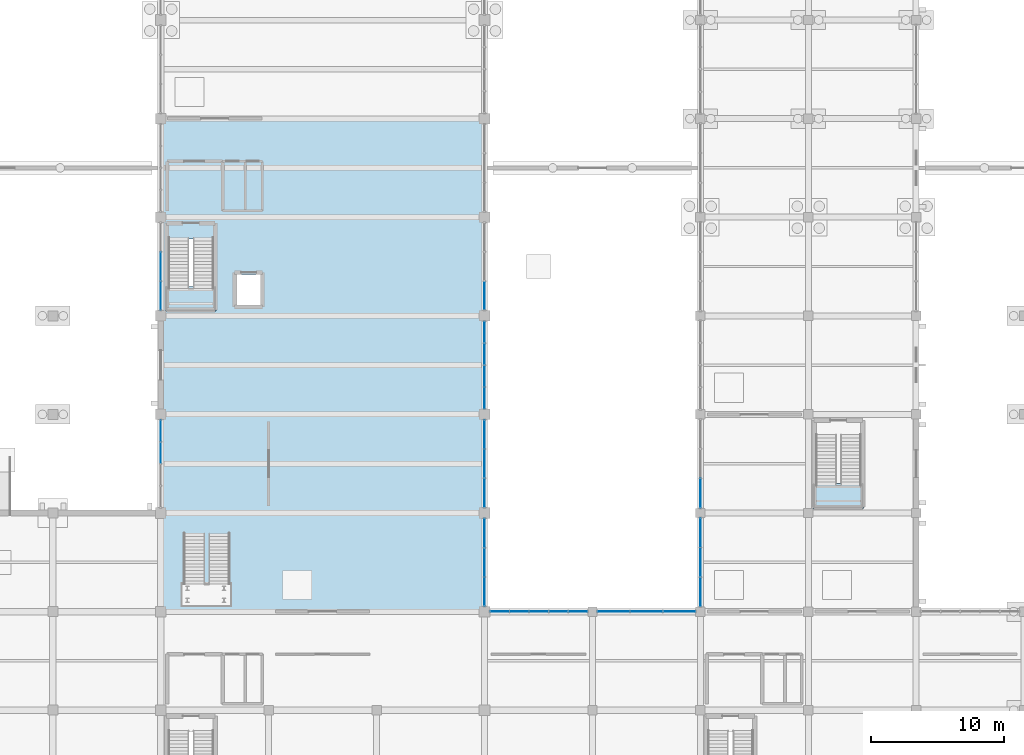
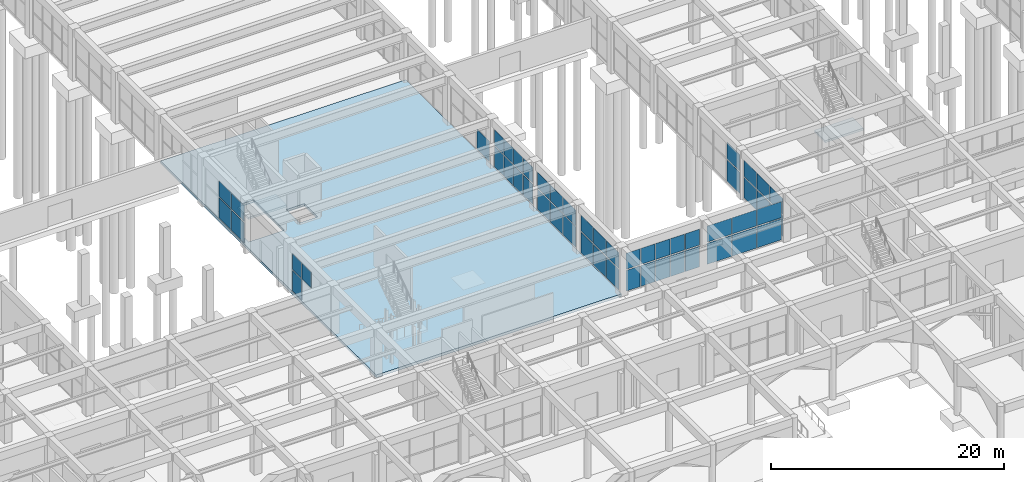
# One storey, part 113 of 140: 52 plates, 3 slabs, 12 elements without a shape of their own.
"""IFC4 building model written with IfcOpenShell, lengths in metres."""

from ifc_helpers import new_model, si_unit, direction, frame, origin, origin_2d, place, context, subcontext, project, spatial, polyline, rectangle, outline, extrude, material, layer, layer_set, type_object, element, aggregate, save


model = new_model("IFC4")

# Units and contexts
model_context = context("Model", 3, precision=1e-05, world=origin(), true_north=direction((0.0, 1.0)))
body_context = subcontext(model_context, "Body", "Model", "MODEL_VIEW")
ifc_project = project(units=[si_unit("LENGTHUNIT", "METRE"), si_unit("AREAUNIT", "SQUARE_METRE"), si_unit("VOLUMEUNIT", "CUBIC_METRE"), si_unit("PLANEANGLEUNIT", "RADIAN"), si_unit("MASSUNIT", "GRAM", prefix="KILO")], contexts=[model_context])

# Site, building, storey
site_placement = place(None, origin())
site = spatial("IfcSite", under=ifc_project, at=site_placement, CompositionType="ELEMENT")
building_placement = place(site_placement, origin())
building = spatial("IfcBuilding", under=site, at=building_placement, Name="Cimatlan Art Gallery", CompositionType="ELEMENT")
storey_placement = place(building_placement, origin())
storey = spatial("IfcBuildingStorey", under=building, at=storey_placement, Name="L00", CompositionType="ELEMENT", Elevation=0.0)

# Curtain wall, plates
ifc_material_1 = material(Name="Anodised bronze unitised curtain wall")
curtain_wall_type_1 = type_object("IfcCurtainWallType", Name="CW-V-07342X04210-B5", PredefinedType="NOTDEFINED", material=ifc_material_1)
curtain_wall_1_placement = place(storey_placement, origin())
curtain_wall_1 = element("IfcCurtainWall", 1, at=curtain_wall_1_placement, inside=storey, type_object=curtain_wall_type_1, Name="CW-L00-12-04-N", PredefinedType="NOTDEFINED")
ifc_material_2 = material(Name="Low-E insulated double glazing", Category="glass")
ifc_layer_1 = layer(ifc_material_2, 0.028076171875)
ifc_layer_set_1 = layer_set([ifc_layer_1], Name="Low-E insulated double glazing")
plate_type_1 = type_object("IfcPlateType", Name="PNL-1410X1668", PredefinedType="CURTAIN_PANEL", material=ifc_layer_set_1)
plate_1_placement = place(storey_placement, frame((100.338134765625, 38.699951171875, 2.419921875), z_axis=(0.0, 0.0, 1.0), x_axis=(1.0, 0.0, 0.0)))
plate_1 = element("IfcPlate", 2, at=plate_1_placement, type_object=plate_type_1, Name="CW-L00-12-04-N-P12", PredefinedType="CURTAIN_PANEL", context=body_context, shape_type="SweptSolid", body=[
    extrude(rectangle(XDim=1.409912109375, YDim=0.028076171875, at=origin_2d()), origin(), (0.0, 0.0, 1.0), 1.66796875),
])
plate_2_placement = place(storey_placement, frame((101.806640625, 38.699951171875, 2.419921875), z_axis=(0.0, 0.0, 1.0), x_axis=(1.0, 0.0, 0.0)))
plate_2 = element("IfcPlate", 3, at=plate_2_placement, type_object=plate_type_1, Name="CW-L00-12-04-N-P22", PredefinedType="CURTAIN_PANEL", context=body_context, shape_type="SweptSolid", body=[
    extrude(rectangle(XDim=1.409912109375, YDim=0.028076171875, at=origin_2d()), origin(), (0.0, 0.0, 1.0), 1.66796875),
])
plate_3_placement = place(storey_placement, frame((103.27490234375, 38.699951171875, 2.419921875), z_axis=(0.0, 0.0, 1.0), x_axis=(1.0, 0.0, 0.0)))
plate_3 = element("IfcPlate", 4, at=plate_3_placement, type_object=plate_type_1, Name="CW-L00-12-04-N-P32", PredefinedType="CURTAIN_PANEL", context=body_context, shape_type="SweptSolid", body=[
    extrude(rectangle(XDim=1.409912109375, YDim=0.028076171875, at=origin_2d()), origin(), (0.0, 0.0, 1.0), 1.66796875),
])
plate_4_placement = place(storey_placement, frame((104.743408203125, 38.699951171875, 2.419921875), z_axis=(0.0, 0.0, 1.0), x_axis=(1.0, 0.0, 0.0)))
plate_4 = element("IfcPlate", 5, at=plate_4_placement, type_object=plate_type_1, Name="CW-L00-12-04-N-P42", PredefinedType="CURTAIN_PANEL", context=body_context, shape_type="SweptSolid", body=[
    extrude(rectangle(XDim=1.409912109375, YDim=0.028076171875, at=origin_2d()), origin(), (0.0, 0.0, 1.0), 1.66796875),
])
plate_5_placement = place(storey_placement, frame((106.2119140625, 38.699951171875, 2.419921875), z_axis=(0.0, 0.0, 1.0), x_axis=(1.0, 0.0, 0.0)))
plate_5 = element("IfcPlate", 6, at=plate_5_placement, type_object=plate_type_1, Name="CW-L00-12-04-N-P52", PredefinedType="CURTAIN_PANEL", context=body_context, shape_type="SweptSolid", body=[
    extrude(rectangle(XDim=1.409912109375, YDim=0.028076171875, at=origin_2d()), origin(), (0.0, 0.0, 1.0), 1.66796875),
])
ifc_layer_2 = layer(ifc_material_2, 0.028076171875)
ifc_layer_set_2 = layer_set([ifc_layer_2], Name="Low-E insulated double glazing")
plate_type_2 = type_object("IfcPlateType", Name="PNL-1410X2174", PredefinedType="CURTAIN_PANEL", material=ifc_layer_set_2)
plate_6_placement = place(storey_placement, frame((100.338134765625, 38.699951171875, 0.12158203125), z_axis=(0.0, 0.0, 1.0), x_axis=(1.0, 0.0, 0.0)))
plate_6 = element("IfcPlate", 7, at=plate_6_placement, type_object=plate_type_2, Name="CW-L00-12-04-N-P11", PredefinedType="CURTAIN_PANEL", context=body_context, shape_type="SweptSolid", body=[
    extrude(rectangle(XDim=1.409912109375, YDim=0.028076171875, at=origin_2d()), origin(), (0.0, 0.0, 1.0), 2.174072265625),
])
plate_7_placement = place(storey_placement, frame((101.806640625, 38.699951171875, 0.12158203125), z_axis=(0.0, 0.0, 1.0), x_axis=(1.0, 0.0, 0.0)))
plate_7 = element("IfcPlate", 8, at=plate_7_placement, type_object=plate_type_2, Name="CW-L00-12-04-N-P21", PredefinedType="CURTAIN_PANEL", context=body_context, shape_type="SweptSolid", body=[
    extrude(rectangle(XDim=1.409912109375, YDim=0.028076171875, at=origin_2d()), origin(), (0.0, 0.0, 1.0), 2.174072265625),
])
plate_8_placement = place(storey_placement, frame((103.27490234375, 38.699951171875, 0.12158203125), z_axis=(0.0, 0.0, 1.0), x_axis=(1.0, 0.0, 0.0)))
plate_8 = element("IfcPlate", 9, at=plate_8_placement, type_object=plate_type_2, Name="CW-L00-12-04-N-P31", PredefinedType="CURTAIN_PANEL", context=body_context, shape_type="SweptSolid", body=[
    extrude(rectangle(XDim=1.409912109375, YDim=0.028076171875, at=origin_2d()), origin(), (0.0, 0.0, 1.0), 2.174072265625),
])
plate_9_placement = place(storey_placement, frame((104.743408203125, 38.699951171875, 0.12158203125), z_axis=(0.0, 0.0, 1.0), x_axis=(1.0, 0.0, 0.0)))
plate_9 = element("IfcPlate", 10, at=plate_9_placement, type_object=plate_type_2, Name="CW-L00-12-04-N-P41", PredefinedType="CURTAIN_PANEL", context=body_context, shape_type="SweptSolid", body=[
    extrude(rectangle(XDim=1.409912109375, YDim=0.028076171875, at=origin_2d()), origin(), (0.0, 0.0, 1.0), 2.174072265625),
])
plate_10_placement = place(storey_placement, frame((106.2119140625, 38.699951171875, 0.12158203125), z_axis=(0.0, 0.0, 1.0), x_axis=(1.0, 0.0, 0.0)))
plate_10 = element("IfcPlate", 11, at=plate_10_placement, type_object=plate_type_2, Name="CW-L00-12-04-N-P51", PredefinedType="CURTAIN_PANEL", context=body_context, shape_type="SweptSolid", body=[
    extrude(rectangle(XDim=1.409912109375, YDim=0.028076171875, at=origin_2d()), origin(), (0.0, 0.0, 1.0), 2.174072265625),
])
aggregate(curtain_wall_1, [plate_6, plate_1, plate_7, plate_2, plate_8, plate_3, plate_9, plate_4, plate_10, plate_5])

curtain_wall_type_2 = type_object("IfcCurtainWallType", Name="CW-V-06592X04133-B4", PredefinedType="NOTDEFINED", material=ifc_material_1)
curtain_wall_2_placement = place(storey_placement, origin())
curtain_wall_2 = element("IfcCurtainWall", 12, at=curtain_wall_2_placement, inside=storey, type_object=curtain_wall_type_2, Name="CW-L00-11-07-E", PredefinedType="NOTDEFINED")
ifc_layer_3 = layer(ifc_material_2, 0.028076171875)
ifc_layer_set_3 = layer_set([ifc_layer_3], Name="Low-E insulated double glazing")
plate_type_3 = type_object("IfcPlateType", Name="PNL-1590X1635", PredefinedType="CURTAIN_PANEL", material=ifc_layer_set_3)
plate_11_placement = place(storey_placement, frame((99.199951171875, 59.672119140625, 2.37646484375), z_axis=(0.0, 0.0, 1.0), x_axis=(0.0, -1.0, 0.0)))
plate_11 = element("IfcPlate", 13, at=plate_11_placement, type_object=plate_type_3, Name="CW-L00-11-07-E-P12", PredefinedType="CURTAIN_PANEL", context=body_context, shape_type="SweptSolid", body=[
    extrude(rectangle(XDim=1.590087890625, YDim=0.028076171875, at=origin_2d()), origin(), (0.0, 0.0, 1.0), 1.635009765625),
])
plate_12_placement = place(storey_placement, frame((99.199951171875, 58.02392578125, 2.37646484375), z_axis=(0.0, 0.0, 1.0), x_axis=(0.0, -1.0, 0.0)))
plate_12 = element("IfcPlate", 14, at=plate_12_placement, type_object=plate_type_3, Name="CW-L00-11-07-E-P22", PredefinedType="CURTAIN_PANEL", context=body_context, shape_type="SweptSolid", body=[
    extrude(rectangle(XDim=1.590087890625, YDim=0.028076171875, at=origin_2d()), origin(), (0.0, 0.0, 1.0), 1.635009765625),
])
plate_13_placement = place(storey_placement, frame((99.199951171875, 56.3759765625, 2.37646484375), z_axis=(0.0, 0.0, 1.0), x_axis=(0.0, -1.0, 0.0)))
plate_13 = element("IfcPlate", 15, at=plate_13_placement, type_object=plate_type_3, Name="CW-L00-11-07-E-P32", PredefinedType="CURTAIN_PANEL", context=body_context, shape_type="SweptSolid", body=[
    extrude(rectangle(XDim=1.590087890625, YDim=0.028076171875, at=origin_2d()), origin(), (0.0, 0.0, 1.0), 1.635009765625),
])
plate_14_placement = place(storey_placement, frame((99.199951171875, 54.72802734375, 2.37646484375), z_axis=(0.0, 0.0, 1.0), x_axis=(0.0, -1.0, 0.0)))
plate_14 = element("IfcPlate", 16, at=plate_14_placement, type_object=plate_type_3, Name="CW-L00-11-07-E-P42", PredefinedType="CURTAIN_PANEL", context=body_context, shape_type="SweptSolid", body=[
    extrude(rectangle(XDim=1.590087890625, YDim=0.028076171875, at=origin_2d()), origin(), (0.0, 0.0, 1.0), 1.635009765625),
])

curtain_wall_type_3 = type_object("IfcCurtainWallType", Name="CW-V-06592X04148-B4", PredefinedType="NOTDEFINED", material=ifc_material_1)
curtain_wall_3_placement = place(storey_placement, origin())
curtain_wall_3 = element("IfcCurtainWall", 17, at=curtain_wall_3_placement, inside=storey, type_object=curtain_wall_type_3, Name="CW-L00-09-06-W", PredefinedType="NOTDEFINED")
ifc_layer_4 = layer(ifc_material_2, 0.028076171875)
ifc_layer_set_4 = layer_set([ifc_layer_4], Name="Low-E insulated double glazing")
plate_type_4 = type_object("IfcPlateType", Name="PNL-1590X1641", PredefinedType="CURTAIN_PANEL", material=ifc_layer_set_4)
plate_15_placement = place(storey_placement, frame((74.89990234375, 50.6240234375, 2.385009765625), z_axis=(0.0, 0.0, 1.0), x_axis=(0.0, 1.0, 0.0)))
plate_15 = element("IfcPlate", 18, at=plate_15_placement, type_object=plate_type_4, Name="CW-L00-09-06-W-P32", PredefinedType="CURTAIN_PANEL", context=body_context, shape_type="SweptSolid", body=[
    extrude(rectangle(XDim=1.590087890625, YDim=0.028076171875, at=origin_2d()), origin(), (0.0, 0.0, 1.0), 1.64111328125),
])
plate_16_placement = place(storey_placement, frame((74.89990234375, 52.27197265625, 2.385009765625), z_axis=(0.0, 0.0, 1.0), x_axis=(0.0, 1.0, 0.0)))
plate_16 = element("IfcPlate", 19, at=plate_16_placement, type_object=plate_type_4, Name="CW-L00-09-06-W-P42", PredefinedType="CURTAIN_PANEL", context=body_context, shape_type="SweptSolid", body=[
    extrude(rectangle(XDim=1.590087890625, YDim=0.028076171875, at=origin_2d()), origin(), (0.0, 0.0, 1.0), 1.64111328125),
])

# Plate
ifc_layer_5 = layer(ifc_material_2, 0.028076171875)
ifc_layer_set_5 = layer_set([ifc_layer_5], Name="Low-E insulated double glazing")
plate_type_5 = type_object("IfcPlateType", Name="PNL-1590X2131", PredefinedType="CURTAIN_PANEL", material=ifc_layer_set_5)
plate_17_placement = place(storey_placement, frame((99.199951171875, 59.672119140625, 0.12158203125), z_axis=(0.0, 0.0, 1.0), x_axis=(0.0, -1.0, 0.0)))
plate_17 = element("IfcPlate", 20, at=plate_17_placement, type_object=plate_type_5, Name="CW-L00-11-07-E-P11", PredefinedType="CURTAIN_PANEL", context=body_context, shape_type="SweptSolid", body=[
    extrude(rectangle(XDim=1.590087890625, YDim=0.028076171875, at=origin_2d()), origin(), (0.0, 0.0, 1.0), 2.131103515625),
])

plate_18_placement = place(storey_placement, frame((99.199951171875, 58.02392578125, 0.12158203125), z_axis=(0.0, 0.0, 1.0), x_axis=(0.0, -1.0, 0.0)))
plate_18 = element("IfcPlate", 21, at=plate_18_placement, type_object=plate_type_5, Name="CW-L00-11-07-E-P21", PredefinedType="CURTAIN_PANEL", context=body_context, shape_type="SweptSolid", body=[
    extrude(rectangle(XDim=1.590087890625, YDim=0.028076171875, at=origin_2d()), origin(), (0.0, 0.0, 1.0), 2.131103515625),
])

plate_19_placement = place(storey_placement, frame((99.199951171875, 56.3759765625, 0.12158203125), z_axis=(0.0, 0.0, 1.0), x_axis=(0.0, -1.0, 0.0)))
plate_19 = element("IfcPlate", 22, at=plate_19_placement, type_object=plate_type_5, Name="CW-L00-11-07-E-P31", PredefinedType="CURTAIN_PANEL", context=body_context, shape_type="SweptSolid", body=[
    extrude(rectangle(XDim=1.590087890625, YDim=0.028076171875, at=origin_2d()), origin(), (0.0, 0.0, 1.0), 2.131103515625),
])

plate_20_placement = place(storey_placement, frame((99.199951171875, 54.72802734375, 0.12158203125), z_axis=(0.0, 0.0, 1.0), x_axis=(0.0, -1.0, 0.0)))
plate_20 = element("IfcPlate", 23, at=plate_20_placement, type_object=plate_type_5, Name="CW-L00-11-07-E-P41", PredefinedType="CURTAIN_PANEL", context=body_context, shape_type="SweptSolid", body=[
    extrude(rectangle(XDim=1.590087890625, YDim=0.028076171875, at=origin_2d()), origin(), (0.0, 0.0, 1.0), 2.131103515625),
])

aggregate(curtain_wall_2, [plate_17, plate_11, plate_18, plate_12, plate_19, plate_13, plate_20, plate_14])

ifc_layer_6 = layer(ifc_material_2, 0.028076171875)
ifc_layer_set_6 = layer_set([ifc_layer_6], Name="Low-E insulated double glazing")
plate_type_6 = type_object("IfcPlateType", Name="PNL-1590X2139", PredefinedType="CURTAIN_PANEL", material=ifc_layer_set_6)
plate_21_placement = place(storey_placement, frame((74.89990234375, 52.27197265625, 0.1220703125), z_axis=(0.0, 0.0, 1.0), x_axis=(0.0, 1.0, 0.0)))
plate_21 = element("IfcPlate", 24, at=plate_21_placement, type_object=plate_type_6, Name="CW-L00-09-06-W-P41", PredefinedType="CURTAIN_PANEL", context=body_context, shape_type="SweptSolid", body=[
    extrude(rectangle(XDim=1.590087890625, YDim=0.028076171875, at=origin_2d()), origin(), (0.0, 0.0, 1.0), 2.138916015625),
])

aggregate(curtain_wall_3, [plate_15, plate_21, plate_16])

# Curtain wall, plates
curtain_wall_type_4 = type_object("IfcCurtainWallType", Name="CW-V-06592X04118-B3", PredefinedType="NOTDEFINED", material=ifc_material_1)
curtain_wall_4_placement = place(storey_placement, origin())
curtain_wall_4 = element("IfcCurtainWall", 25, at=curtain_wall_4_placement, inside=storey, type_object=curtain_wall_type_4, Name="CW-L00-09-08-W", PredefinedType="NOTDEFINED")
ifc_layer_7 = layer(ifc_material_2, 0.028076171875)
ifc_layer_set_7 = layer_set([ifc_layer_7], Name="Low-E insulated double glazing")
plate_type_7 = type_object("IfcPlateType", Name="PNL-2139X1628", PredefinedType="CURTAIN_PANEL", material=ifc_layer_set_7)
plate_22_placement = place(storey_placement, frame((74.89990234375, 62.402587890625, 2.3681640625), z_axis=(0.0, 0.0, 1.0), x_axis=(0.0, 1.0, 0.0)))
plate_22 = element("IfcPlate", 26, at=plate_22_placement, type_object=plate_type_7, Name="CW-L00-09-08-W-P12", PredefinedType="CURTAIN_PANEL", context=body_context, shape_type="SweptSolid", body=[
    extrude(rectangle(XDim=2.138916015625, YDim=0.028076171875, at=origin_2d()), origin(), (0.0, 0.0, 1.0), 1.6279296875),
])
plate_23_placement = place(storey_placement, frame((74.89990234375, 64.60009765625, 2.3681640625), z_axis=(0.0, 0.0, 1.0), x_axis=(0.0, 1.0, 0.0)))
plate_23 = element("IfcPlate", 27, at=plate_23_placement, type_object=plate_type_7, Name="CW-L00-09-08-W-P22", PredefinedType="CURTAIN_PANEL", context=body_context, shape_type="SweptSolid", body=[
    extrude(rectangle(XDim=2.138916015625, YDim=0.028076171875, at=origin_2d()), origin(), (0.0, 0.0, 1.0), 1.6279296875),
])

curtain_wall_type_5 = type_object("IfcCurtainWallType", Name="CW-V-06592X04148-B3", PredefinedType="NOTDEFINED", material=ifc_material_1)
curtain_wall_5_placement = place(storey_placement, origin())
curtain_wall_5 = element("IfcCurtainWall", 28, at=curtain_wall_5_placement, inside=storey, type_object=curtain_wall_type_5, Name="CW-L00-11-06-E", PredefinedType="NOTDEFINED")
ifc_layer_8 = layer(ifc_material_2, 0.028076171875)
ifc_layer_set_8 = layer_set([ifc_layer_8], Name="Low-E insulated double glazing")
plate_type_8 = type_object("IfcPlateType", Name="PNL-2139X1641", PredefinedType="CURTAIN_PANEL", material=ifc_layer_set_8)
plate_24_placement = place(storey_placement, frame((99.199951171875, 51.997314453125, 2.385009765625), z_axis=(0.0, 0.0, 1.0), x_axis=(0.0, -1.0, 0.0)))
plate_24 = element("IfcPlate", 29, at=plate_24_placement, type_object=plate_type_8, Name="CW-L00-11-06-E-P12", PredefinedType="CURTAIN_PANEL", context=body_context, shape_type="SweptSolid", body=[
    extrude(rectangle(XDim=2.138916015625, YDim=0.028076171875, at=origin_2d()), origin(), (0.0, 0.0, 1.0), 1.64111328125),
])
plate_25_placement = place(storey_placement, frame((99.199951171875, 49.800048828125, 2.385009765625), z_axis=(0.0, 0.0, 1.0), x_axis=(0.0, -1.0, 0.0)))
plate_25 = element("IfcPlate", 30, at=plate_25_placement, type_object=plate_type_8, Name="CW-L00-11-06-E-P22", PredefinedType="CURTAIN_PANEL", context=body_context, shape_type="SweptSolid", body=[
    extrude(rectangle(XDim=2.138916015625, YDim=0.028076171875, at=origin_2d()), origin(), (0.0, 0.0, 1.0), 1.64111328125),
])
plate_26_placement = place(storey_placement, frame((99.199951171875, 47.602783203125, 2.385009765625), z_axis=(0.0, 0.0, 1.0), x_axis=(0.0, -1.0, 0.0)))
plate_26 = element("IfcPlate", 31, at=plate_26_placement, type_object=plate_type_8, Name="CW-L00-11-06-E-P32", PredefinedType="CURTAIN_PANEL", context=body_context, shape_type="SweptSolid", body=[
    extrude(rectangle(XDim=2.138916015625, YDim=0.028076171875, at=origin_2d()), origin(), (0.0, 0.0, 1.0), 1.64111328125),
])

curtain_wall_type_6 = type_object("IfcCurtainWallType", Name="CW-V-06592X04163-B3", PredefinedType="NOTDEFINED", material=ifc_material_1)
curtain_wall_6_placement = place(storey_placement, origin())
curtain_wall_6 = element("IfcCurtainWall", 32, at=curtain_wall_6_placement, inside=storey, type_object=curtain_wall_type_6, Name="CW-L00-11-05-E", PredefinedType="NOTDEFINED")
ifc_layer_9 = layer(ifc_material_2, 0.028076171875)
ifc_layer_set_9 = layer_set([ifc_layer_9], Name="Low-E insulated double glazing")
plate_type_9 = type_object("IfcPlateType", Name="PNL-2139X1648", PredefinedType="CURTAIN_PANEL", material=ifc_layer_set_9)
plate_27_placement = place(storey_placement, frame((99.199951171875, 44.597412109375, 2.39306640625), z_axis=(0.0, 0.0, 1.0), x_axis=(0.0, -1.0, 0.0)))
plate_27 = element("IfcPlate", 33, at=plate_27_placement, type_object=plate_type_9, Name="CW-L00-11-05-E-P12", PredefinedType="CURTAIN_PANEL", context=body_context, shape_type="SweptSolid", body=[
    extrude(rectangle(XDim=2.138916015625, YDim=0.028076171875, at=origin_2d()), origin(), (0.0, 0.0, 1.0), 1.64794921875),
])
plate_28_placement = place(storey_placement, frame((99.199951171875, 42.39990234375, 2.39306640625), z_axis=(0.0, 0.0, 1.0), x_axis=(0.0, -1.0, 0.0)))
plate_28 = element("IfcPlate", 34, at=plate_28_placement, type_object=plate_type_9, Name="CW-L00-11-05-E-P22", PredefinedType="CURTAIN_PANEL", context=body_context, shape_type="SweptSolid", body=[
    extrude(rectangle(XDim=2.138916015625, YDim=0.028076171875, at=origin_2d()), origin(), (0.0, 0.0, 1.0), 1.64794921875),
])
plate_29_placement = place(storey_placement, frame((99.199951171875, 40.20263671875, 2.39306640625), z_axis=(0.0, 0.0, 1.0), x_axis=(0.0, -1.0, 0.0)))
plate_29 = element("IfcPlate", 35, at=plate_29_placement, type_object=plate_type_9, Name="CW-L00-11-05-E-P32", PredefinedType="CURTAIN_PANEL", context=body_context, shape_type="SweptSolid", body=[
    extrude(rectangle(XDim=2.138916015625, YDim=0.028076171875, at=origin_2d()), origin(), (0.0, 0.0, 1.0), 1.64794921875),
])

# Plate
ifc_layer_10 = layer(ifc_material_2, 0.028076171875)
ifc_layer_set_10 = layer_set([ifc_layer_10], Name="Low-E insulated double glazing")
plate_type_10 = type_object("IfcPlateType", Name="PNL-2139X2122", PredefinedType="CURTAIN_PANEL", material=ifc_layer_set_10)
plate_30_placement = place(storey_placement, frame((74.89990234375, 62.402587890625, 0.1220703125), z_axis=(0.0, 0.0, 1.0), x_axis=(0.0, 1.0, 0.0)))
plate_30 = element("IfcPlate", 36, at=plate_30_placement, type_object=plate_type_10, Name="CW-L00-09-08-W-P11", PredefinedType="CURTAIN_PANEL", context=body_context, shape_type="SweptSolid", body=[
    extrude(rectangle(XDim=2.138916015625, YDim=0.028076171875, at=origin_2d()), origin(), (0.0, 0.0, 1.0), 2.1220703125),
])

plate_31_placement = place(storey_placement, frame((74.89990234375, 64.60009765625, 0.1220703125), z_axis=(0.0, 0.0, 1.0), x_axis=(0.0, 1.0, 0.0)))
plate_31 = element("IfcPlate", 37, at=plate_31_placement, type_object=plate_type_10, Name="CW-L00-09-08-W-P21", PredefinedType="CURTAIN_PANEL", context=body_context, shape_type="SweptSolid", body=[
    extrude(rectangle(XDim=2.138916015625, YDim=0.028076171875, at=origin_2d()), origin(), (0.0, 0.0, 1.0), 2.1220703125),
])

aggregate(curtain_wall_4, [plate_30, plate_22, plate_31, plate_23])

# Curtain wall, plate
curtain_wall_7_placement = place(storey_placement, origin())
curtain_wall_7 = element("IfcCurtainWall", 38, at=curtain_wall_7_placement, inside=storey, type_object=curtain_wall_type_4, Name="CW-L00-11-08-E", PredefinedType="NOTDEFINED")
plate_32_placement = place(storey_placement, frame((99.199951171875, 62.402587890625, 0.1220703125), z_axis=(0.0, 0.0, 1.0), x_axis=(0.0, -1.0, 0.0)))
plate_32 = element("IfcPlate", 39, at=plate_32_placement, type_object=plate_type_10, Name="CW-L00-11-08-E-P31", PredefinedType="CURTAIN_PANEL", context=body_context, shape_type="SweptSolid", body=[
    extrude(rectangle(XDim=2.138916015625, YDim=0.028076171875, at=origin_2d()), origin(), (0.0, 0.0, 1.0), 2.1220703125),
])
aggregate(curtain_wall_7, [plate_32])

# Plate
ifc_layer_11 = layer(ifc_material_2, 0.028076171875)
ifc_layer_set_11 = layer_set([ifc_layer_11], Name="Low-E insulated double glazing")
plate_type_11 = type_object("IfcPlateType", Name="PNL-2139X2139", PredefinedType="CURTAIN_PANEL", material=ifc_layer_set_11)
plate_33_placement = place(storey_placement, frame((99.199951171875, 51.997314453125, 0.1220703125), z_axis=(0.0, 0.0, 1.0), x_axis=(0.0, -1.0, 0.0)))
plate_33 = element("IfcPlate", 40, at=plate_33_placement, type_object=plate_type_11, Name="CW-L00-11-06-E-P11", PredefinedType="CURTAIN_PANEL", context=body_context, shape_type="SweptSolid", body=[
    extrude(rectangle(XDim=2.138916015625, YDim=0.028076171875, at=origin_2d()), origin(), (0.0, 0.0, 1.0), 2.138916015625),
])

plate_34_placement = place(storey_placement, frame((99.199951171875, 49.800048828125, 0.1220703125), z_axis=(0.0, 0.0, 1.0), x_axis=(0.0, -1.0, 0.0)))
plate_34 = element("IfcPlate", 41, at=plate_34_placement, type_object=plate_type_11, Name="CW-L00-11-06-E-P21", PredefinedType="CURTAIN_PANEL", context=body_context, shape_type="SweptSolid", body=[
    extrude(rectangle(XDim=2.138916015625, YDim=0.028076171875, at=origin_2d()), origin(), (0.0, 0.0, 1.0), 2.138916015625),
])

plate_35_placement = place(storey_placement, frame((99.199951171875, 47.602783203125, 0.1220703125), z_axis=(0.0, 0.0, 1.0), x_axis=(0.0, -1.0, 0.0)))
plate_35 = element("IfcPlate", 42, at=plate_35_placement, type_object=plate_type_11, Name="CW-L00-11-06-E-P31", PredefinedType="CURTAIN_PANEL", context=body_context, shape_type="SweptSolid", body=[
    extrude(rectangle(XDim=2.138916015625, YDim=0.028076171875, at=origin_2d()), origin(), (0.0, 0.0, 1.0), 2.138916015625),
])

aggregate(curtain_wall_5, [plate_33, plate_24, plate_34, plate_25, plate_35, plate_26])

ifc_layer_12 = layer(ifc_material_2, 0.028076171875)
ifc_layer_set_12 = layer_set([ifc_layer_12], Name="Low-E insulated double glazing")
plate_type_12 = type_object("IfcPlateType", Name="PNL-2139X2147", PredefinedType="CURTAIN_PANEL", material=ifc_layer_set_12)
plate_36_placement = place(storey_placement, frame((99.199951171875, 44.597412109375, 0.1220703125), z_axis=(0.0, 0.0, 1.0), x_axis=(0.0, -1.0, 0.0)))
plate_36 = element("IfcPlate", 43, at=plate_36_placement, type_object=plate_type_12, Name="CW-L00-11-05-E-P11", PredefinedType="CURTAIN_PANEL", context=body_context, shape_type="SweptSolid", body=[
    extrude(rectangle(XDim=2.138916015625, YDim=0.028076171875, at=origin_2d()), origin(), (0.0, 0.0, 1.0), 2.14697265625),
])

plate_37_placement = place(storey_placement, frame((99.199951171875, 42.39990234375, 0.1220703125), z_axis=(0.0, 0.0, 1.0), x_axis=(0.0, -1.0, 0.0)))
plate_37 = element("IfcPlate", 44, at=plate_37_placement, type_object=plate_type_12, Name="CW-L00-11-05-E-P21", PredefinedType="CURTAIN_PANEL", context=body_context, shape_type="SweptSolid", body=[
    extrude(rectangle(XDim=2.138916015625, YDim=0.028076171875, at=origin_2d()), origin(), (0.0, 0.0, 1.0), 2.14697265625),
])

plate_38_placement = place(storey_placement, frame((99.199951171875, 40.20263671875, 0.1220703125), z_axis=(0.0, 0.0, 1.0), x_axis=(0.0, -1.0, 0.0)))
plate_38 = element("IfcPlate", 45, at=plate_38_placement, type_object=plate_type_12, Name="CW-L00-11-05-E-P31", PredefinedType="CURTAIN_PANEL", context=body_context, shape_type="SweptSolid", body=[
    extrude(rectangle(XDim=2.138916015625, YDim=0.028076171875, at=origin_2d()), origin(), (0.0, 0.0, 1.0), 2.14697265625),
])

aggregate(curtain_wall_6, [plate_36, plate_27, plate_37, plate_28, plate_38, plate_29])

# Curtain wall, plates
curtain_wall_type_7 = type_object("IfcCurtainWallType", Name="CW-V-06692X04195-B3", PredefinedType="NOTDEFINED", material=ifc_material_1)
curtain_wall_8_placement = place(storey_placement, origin())
curtain_wall_8 = element("IfcCurtainWall", 46, at=curtain_wall_8_placement, inside=storey, type_object=curtain_wall_type_7, Name="CW-L00-14-05-W", PredefinedType="NOTDEFINED")
ifc_layer_13 = layer(ifc_material_2, 0.028076171875)
ifc_layer_set_13 = layer_set([ifc_layer_13], Name="Low-E insulated double glazing")
plate_type_13 = type_object("IfcPlateType", Name="PNL-2173X1662", PredefinedType="CURTAIN_PANEL", material=ifc_layer_set_13)
plate_39_placement = place(storey_placement, frame((115.39990234375, 40.16943359375, 2.4111328125), z_axis=(0.0, 0.0, 1.0), x_axis=(0.0, 1.0, 0.0)))
plate_39 = element("IfcPlate", 47, at=plate_39_placement, type_object=plate_type_13, Name="CW-L00-14-05-W-P12", PredefinedType="CURTAIN_PANEL", context=body_context, shape_type="SweptSolid", body=[
    extrude(rectangle(XDim=2.173095703125, YDim=0.028076171875, at=origin_2d()), origin(), (0.0, 0.0, 1.0), 1.662109375),
])
plate_40_placement = place(storey_placement, frame((115.39990234375, 42.39990234375, 2.4111328125), z_axis=(0.0, 0.0, 1.0), x_axis=(0.0, 1.0, 0.0)))
plate_40 = element("IfcPlate", 48, at=plate_40_placement, type_object=plate_type_13, Name="CW-L00-14-05-W-P22", PredefinedType="CURTAIN_PANEL", context=body_context, shape_type="SweptSolid", body=[
    extrude(rectangle(XDim=2.173095703125, YDim=0.028076171875, at=origin_2d()), origin(), (0.0, 0.0, 1.0), 1.662109375),
])
plate_41_placement = place(storey_placement, frame((115.39990234375, 44.630615234375, 2.4111328125), z_axis=(0.0, 0.0, 1.0), x_axis=(0.0, 1.0, 0.0)))
plate_41 = element("IfcPlate", 49, at=plate_41_placement, type_object=plate_type_13, Name="CW-L00-14-05-W-P32", PredefinedType="CURTAIN_PANEL", context=body_context, shape_type="SweptSolid", body=[
    extrude(rectangle(XDim=2.173095703125, YDim=0.028076171875, at=origin_2d()), origin(), (0.0, 0.0, 1.0), 1.662109375),
])

# Curtain wall, plate
curtain_wall_type_8 = type_object("IfcCurtainWallType", Name="CW-V-06692X04320-B3", PredefinedType="NOTDEFINED", material=ifc_material_1)
curtain_wall_9_placement = place(storey_placement, origin())
curtain_wall_9 = element("IfcCurtainWall", 50, at=curtain_wall_9_placement, inside=storey, type_object=curtain_wall_type_8, Name="CW-L00-14-06-W", PredefinedType="NOTDEFINED")
ifc_layer_14 = layer(ifc_material_2, 0.028076171875)
ifc_layer_set_14 = layer_set([ifc_layer_14], Name="Low-E insulated double glazing")
plate_type_14 = type_object("IfcPlateType", Name="PNL-2173X1717", PredefinedType="CURTAIN_PANEL", material=ifc_layer_set_14)
plate_42_placement = place(storey_placement, frame((115.39990234375, 47.5693359375, 2.48095703125), z_axis=(0.0, 0.0, 1.0), x_axis=(0.0, 1.0, 0.0)))
plate_42 = element("IfcPlate", 51, at=plate_42_placement, type_object=plate_type_14, Name="CW-L00-14-06-W-P12", PredefinedType="CURTAIN_PANEL", context=body_context, shape_type="SweptSolid", body=[
    extrude(rectangle(XDim=2.173095703125, YDim=0.028076171875, at=origin_2d()), origin(), (0.0, 0.0, 1.0), 1.717041015625),
])

# Plate
ifc_layer_15 = layer(ifc_material_2, 0.028076171875)
ifc_layer_set_15 = layer_set([ifc_layer_15], Name="Low-E insulated double glazing")
plate_type_15 = type_object("IfcPlateType", Name="PNL-2173X2165", PredefinedType="CURTAIN_PANEL", material=ifc_layer_set_15)
plate_43_placement = place(storey_placement, frame((115.39990234375, 40.16943359375, 0.1220703125), z_axis=(0.0, 0.0, 1.0), x_axis=(0.0, 1.0, 0.0)))
plate_43 = element("IfcPlate", 52, at=plate_43_placement, type_object=plate_type_15, Name="CW-L00-14-05-W-P11", PredefinedType="CURTAIN_PANEL", context=body_context, shape_type="SweptSolid", body=[
    extrude(rectangle(XDim=2.173095703125, YDim=0.028076171875, at=origin_2d()), origin(), (0.0, 0.0, 1.0), 2.1650390625),
])

plate_44_placement = place(storey_placement, frame((115.39990234375, 42.39990234375, 0.1220703125), z_axis=(0.0, 0.0, 1.0), x_axis=(0.0, 1.0, 0.0)))
plate_44 = element("IfcPlate", 53, at=plate_44_placement, type_object=plate_type_15, Name="CW-L00-14-05-W-P21", PredefinedType="CURTAIN_PANEL", context=body_context, shape_type="SweptSolid", body=[
    extrude(rectangle(XDim=2.173095703125, YDim=0.028076171875, at=origin_2d()), origin(), (0.0, 0.0, 1.0), 2.1650390625),
])

plate_45_placement = place(storey_placement, frame((115.39990234375, 44.630615234375, 0.1220703125), z_axis=(0.0, 0.0, 1.0), x_axis=(0.0, 1.0, 0.0)))
plate_45 = element("IfcPlate", 54, at=plate_45_placement, type_object=plate_type_15, Name="CW-L00-14-05-W-P31", PredefinedType="CURTAIN_PANEL", context=body_context, shape_type="SweptSolid", body=[
    extrude(rectangle(XDim=2.173095703125, YDim=0.028076171875, at=origin_2d()), origin(), (0.0, 0.0, 1.0), 2.1650390625),
])

aggregate(curtain_wall_8, [plate_43, plate_39, plate_44, plate_40, plate_45, plate_41])

ifc_layer_16 = layer(ifc_material_2, 0.028076171875)
ifc_layer_set_16 = layer_set([ifc_layer_16], Name="Low-E insulated double glazing")
plate_type_16 = type_object("IfcPlateType", Name="PNL-2173X2235", PredefinedType="CURTAIN_PANEL", material=ifc_layer_set_16)
plate_46_placement = place(storey_placement, frame((115.39990234375, 47.5693359375, 0.1220703125), z_axis=(0.0, 0.0, 1.0), x_axis=(0.0, 1.0, 0.0)))
plate_46 = element("IfcPlate", 55, at=plate_46_placement, type_object=plate_type_16, Name="CW-L00-14-06-W-P11", PredefinedType="CURTAIN_PANEL", context=body_context, shape_type="SweptSolid", body=[
    extrude(rectangle(XDim=2.173095703125, YDim=0.028076171875, at=origin_2d()), origin(), (0.0, 0.0, 1.0), 2.235107421875),
])

aggregate(curtain_wall_9, [plate_46, plate_42])

# Curtain wall, plates
curtain_wall_type_9 = type_object("IfcCurtainWallType", Name="CW-V-07392X04255-B3", PredefinedType="NOTDEFINED", material=ifc_material_1)
curtain_wall_10_placement = place(storey_placement, origin())
curtain_wall_10 = element("IfcCurtainWall", 56, at=curtain_wall_10_placement, inside=storey, type_object=curtain_wall_type_9, Name="CW-L00-13-04-N", PredefinedType="NOTDEFINED")
ifc_layer_17 = layer(ifc_material_2, 0.028076171875)
ifc_layer_set_17 = layer_set([ifc_layer_17], Name="Low-E insulated double glazing")
plate_type_17 = type_object("IfcPlateType", Name="PNL-2406X1688", PredefinedType="CURTAIN_PANEL", material=ifc_layer_set_17)
plate_47_placement = place(storey_placement, frame((108.885986328125, 38.699951171875, 2.44482421875), z_axis=(0.0, 0.0, 1.0), x_axis=(1.0, 0.0, 0.0)))
plate_47 = element("IfcPlate", 57, at=plate_47_placement, type_object=plate_type_17, Name="CW-L00-13-04-N-P12", PredefinedType="CURTAIN_PANEL", context=body_context, shape_type="SweptSolid", body=[
    extrude(rectangle(XDim=2.406005859375, YDim=0.028076171875, at=origin_2d()), origin(), (0.0, 0.0, 1.0), 1.68798828125),
])
plate_48_placement = place(storey_placement, frame((111.35009765625, 38.699951171875, 2.44482421875), z_axis=(0.0, 0.0, 1.0), x_axis=(1.0, 0.0, 0.0)))
plate_48 = element("IfcPlate", 58, at=plate_48_placement, type_object=plate_type_17, Name="CW-L00-13-04-N-P22", PredefinedType="CURTAIN_PANEL", context=body_context, shape_type="SweptSolid", body=[
    extrude(rectangle(XDim=2.406005859375, YDim=0.028076171875, at=origin_2d()), origin(), (0.0, 0.0, 1.0), 1.68798828125),
])
plate_49_placement = place(storey_placement, frame((113.81396484375, 38.699951171875, 2.44482421875), z_axis=(0.0, 0.0, 1.0), x_axis=(1.0, 0.0, 0.0)))
plate_49 = element("IfcPlate", 59, at=plate_49_placement, type_object=plate_type_17, Name="CW-L00-13-04-N-P32", PredefinedType="CURTAIN_PANEL", context=body_context, shape_type="SweptSolid", body=[
    extrude(rectangle(XDim=2.406005859375, YDim=0.028076171875, at=origin_2d()), origin(), (0.0, 0.0, 1.0), 1.68798828125),
])
ifc_layer_18 = layer(ifc_material_2, 0.028076171875)
ifc_layer_set_18 = layer_set([ifc_layer_18], Name="Low-E insulated double glazing")
plate_type_18 = type_object("IfcPlateType", Name="PNL-2406X2199", PredefinedType="CURTAIN_PANEL", material=ifc_layer_set_18)
plate_50_placement = place(storey_placement, frame((108.885986328125, 38.699951171875, 0.1220703125), z_axis=(0.0, 0.0, 1.0), x_axis=(1.0, 0.0, 0.0)))
plate_50 = element("IfcPlate", 60, at=plate_50_placement, type_object=plate_type_18, Name="CW-L00-13-04-N-P11", PredefinedType="CURTAIN_PANEL", context=body_context, shape_type="SweptSolid", body=[
    extrude(rectangle(XDim=2.406005859375, YDim=0.028076171875, at=origin_2d()), origin(), (0.0, 0.0, 1.0), 2.198974609375),
])
plate_51_placement = place(storey_placement, frame((111.35009765625, 38.699951171875, 0.1220703125), z_axis=(0.0, 0.0, 1.0), x_axis=(1.0, 0.0, 0.0)))
plate_51 = element("IfcPlate", 61, at=plate_51_placement, type_object=plate_type_18, Name="CW-L00-13-04-N-P21", PredefinedType="CURTAIN_PANEL", context=body_context, shape_type="SweptSolid", body=[
    extrude(rectangle(XDim=2.406005859375, YDim=0.028076171875, at=origin_2d()), origin(), (0.0, 0.0, 1.0), 2.198974609375),
])
plate_52_placement = place(storey_placement, frame((113.81396484375, 38.699951171875, 0.1220703125), z_axis=(0.0, 0.0, 1.0), x_axis=(1.0, 0.0, 0.0)))
plate_52 = element("IfcPlate", 62, at=plate_52_placement, type_object=plate_type_18, Name="CW-L00-13-04-N-P31", PredefinedType="CURTAIN_PANEL", context=body_context, shape_type="SweptSolid", body=[
    extrude(rectangle(XDim=2.406005859375, YDim=0.028076171875, at=origin_2d()), origin(), (0.0, 0.0, 1.0), 2.198974609375),
])
aggregate(curtain_wall_10, [plate_50, plate_47, plate_51, plate_48, plate_52, plate_49])

# Slab
ifc_material_3 = material(Name="Concrete C35/45", Category="concrete")
ifc_layer_19 = layer(ifc_material_3, 0.280029296875)
ifc_layer_set_19 = layer_set([ifc_layer_19], Name="Concrete C35/45")
slab_type_1 = type_object("IfcSlabType", Name="SLB-FLR-L00", PredefinedType="FLOOR", material=ifc_layer_set_19)
slab_1_placement = place(storey_placement, frame((0.0, 0.0, -0.280029296875)))
element("IfcSlab", 63, at=slab_1_placement, inside=storey, type_object=slab_type_1, Name="SLB-L00-B3S", PredefinedType="FLOOR", context=body_context, shape_type="SweptSolid", body=[
    extrude(outline(polyline([(74.89990234375, 38.699951171875), (99.199951171875, 38.699951171875), (99.199951171875, 75.699951171875), (74.89990234375, 75.699951171875), (74.89990234375, 38.699951171875)]), holes=[polyline([(75.39990234375, 61.419921875), (78.919921875, 61.419921875), (78.919921875, 66.64990234375), (75.39990234375, 66.64990234375), (75.39990234375, 61.419921875)]), polyline([(80.610107421875, 61.7099609375), (82.389892578125, 61.7099609375), (82.389892578125, 63.989990234375), (80.610107421875, 63.989990234375), (80.610107421875, 61.7099609375)])]), origin(), (0.0, 0.0, 1.0), 0.280029296875),
])

# Stair, slab
stair_type = type_object("IfcStairType", Name="STR-HALF-155-540", PredefinedType="HALF_TURN_STAIR", material=ifc_material_3)
stair_1_placement = place(storey_placement, origin())
stair_1 = element("IfcStair", 64, at=stair_1_placement, inside=storey, type_object=stair_type, Name="STR-C6-L00", PredefinedType="HALF_TURN_STAIR")
ifc_layer_20 = layer(ifc_material_3, 0.219970703125)
ifc_layer_set_20 = layer_set([ifc_layer_20], Name="Concrete C35/45")
slab_type_2 = type_object("IfcSlabType", Name="SLB-STAIR-LAND-220", PredefinedType="LANDING", material=ifc_layer_set_20)
slab_2_placement = place(storey_placement, frame((0.0, 0.0, 2.47998046875)))
slab_2 = element("IfcSlab", 65, at=slab_2_placement, type_object=slab_type_2, Name="STR-C6-L00-LND", PredefinedType="LANDING", context=body_context, shape_type="SweptSolid", body=[
    extrude(outline(polyline([(75.25, 61.25), (79.0400390625, 61.25), (79.0400390625, 63.10498046875), (75.25, 63.10498046875), (75.25, 61.25)])), origin(), (0.0, 0.0, 1.0), 0.219970703125),
])
aggregate(stair_1, [slab_2])

stair_2_placement = place(storey_placement, origin())
stair_2 = element("IfcStair", 66, at=stair_2_placement, inside=storey, type_object=stair_type, Name="STR-C9-L00", PredefinedType="HALF_TURN_STAIR")
slab_3_placement = place(storey_placement, frame((0.0, 0.0, 2.47998046875)))
slab_3 = element("IfcSlab", 67, at=slab_3_placement, type_object=slab_type_2, Name="STR-C9-L00-LND", PredefinedType="LANDING", context=body_context, shape_type="SweptSolid", body=[
    extrude(outline(polyline([(123.85009765625, 46.449951171875), (127.639892578125, 46.449951171875), (127.639892578125, 48.304931640625), (123.85009765625, 48.304931640625), (123.85009765625, 46.449951171875)])), origin(), (0.0, 0.0, 1.0), 0.219970703125),
])
aggregate(stair_2, [slab_3])

save(model, "model.ifc")
